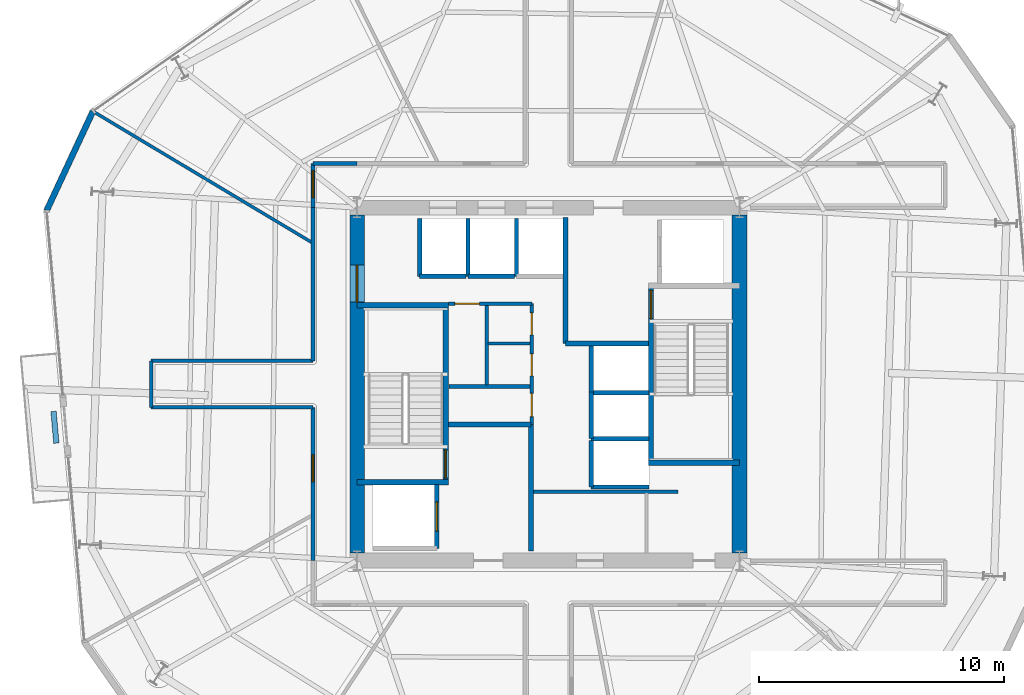
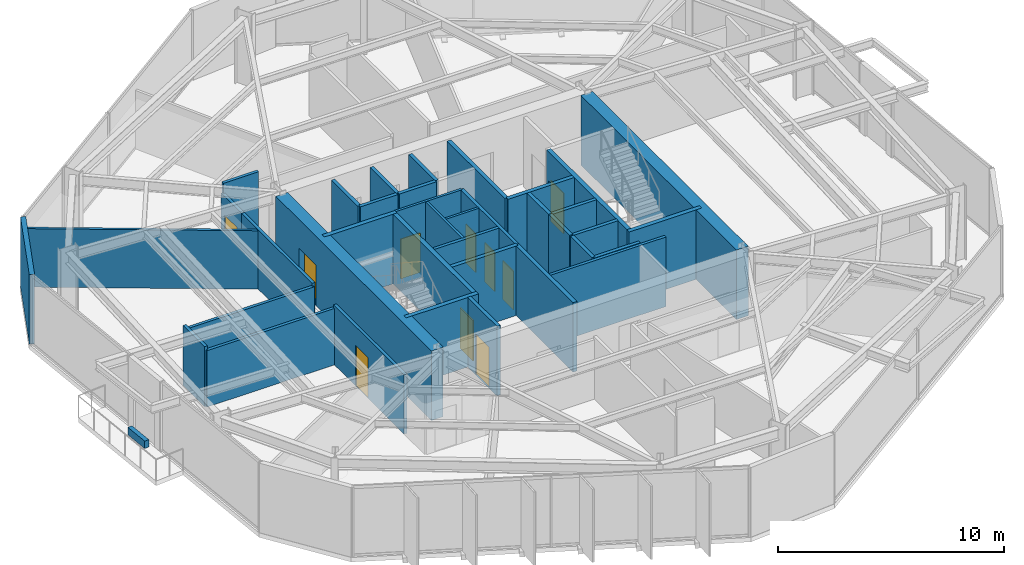
# One storey, part 7 of 13: 39 walls, 10 doors, 10 openings.
"""IFC4 building model written with IfcOpenShell, lengths in metres."""

from ifc_helpers import new_model, si_unit, direction, frame, frame_2d, origin, place, context, subcontext, project, spatial, rectangle, extrude, material, layer, layer_set, type_object, element, fill, save


model = new_model("IFC4")

# Units and contexts
model_context = context("Model", 3, precision=1e-05, world=origin(), true_north=direction((0.0, 1.0)))
body_context = subcontext(model_context, "Body", "Model", "MODEL_VIEW")
ifc_project = project(units=[si_unit("LENGTHUNIT", "METRE"), si_unit("AREAUNIT", "SQUARE_METRE"), si_unit("VOLUMEUNIT", "CUBIC_METRE"), si_unit("PLANEANGLEUNIT", "RADIAN"), si_unit("MASSUNIT", "GRAM", prefix="KILO")], contexts=[model_context])

# Site, building, storey
site_placement = place(None, origin())
site = spatial("IfcSite", under=ifc_project, at=site_placement, CompositionType="ELEMENT")
building_placement = place(site_placement, origin())
building = spatial("IfcBuilding", under=site, at=building_placement, Name="Kranzbogen Civic Tower", CompositionType="ELEMENT")
storey_placement = place(building_placement, frame((0.0, 0.0, 162.39990234375)))
storey = spatial("IfcBuildingStorey", under=building, at=storey_placement, Name="L39", CompositionType="ELEMENT", Elevation=162.39990234375)

# Wall
ifc_material_1 = material(Name="Double-Stud Acoustic Gypsum Partition")
ifc_layer_1 = layer(ifc_material_1, 0.14990234375, Name="Double-Stud Acoustic Gypsum Partition")
ifc_layer_set_1 = layer_set([ifc_layer_1], Name="Double-Stud Acoustic Gypsum Partition")
wall_type_1 = type_object("IfcWallType", Name="Acoustic Corridor and Clinical Partition 150 mm", PredefinedType="PARTITIONING", material=ifc_layer_set_1)
wall_1_placement = place(storey_placement, frame((24.39990234375, 20.610107421875, 0.0), z_axis=(0.0, 0.0, 1.0), x_axis=(1.0, 0.0, 0.0)))
element("IfcWall", 1, at=wall_1_placement, inside=storey, type_object=wall_type_1, Name="L39 records zone North wall", PredefinedType="PARTITIONING", context=body_context, shape_type="SweptSolid", body=[
    extrude(rectangle(XDim=5.900146484375, YDim=0.14990234375, at=frame_2d((2.9501953125, 0.0))), origin(), (0.0, 0.0, 1.0), 3.760009765625),
])

# Wall, opening, door
wall_2_placement = place(storey_placement, frame((15.39990234375, 17.800048828125, 0.0), z_axis=(0.0, 0.0, 1.0), x_axis=(0.0, 1.0, 0.0)))
wall_2 = element("IfcWall", 2, at=wall_2_placement, inside=storey, type_object=wall_type_1, Name="L39 corridor partition 03", PredefinedType="PARTITIONING", context=body_context, shape_type="SweptSolid", body=[
    extrude(rectangle(XDim=6.25, YDim=0.14990234375, at=frame_2d((3.125, 0.0))), origin(), (0.0, 0.0, 1.0), 3.210205078125),
])
opening_1_placement = place(wall_2_placement, frame((3.214111328125, 0.0, 0.0)))
opening_1 = element("IfcOpeningElement", 3, at=opening_1_placement, cuts=wall_2, Name="Opening D-COR60", PredefinedType="OPENING", context=body_context, shape_type="SweptSolid", body=[
    extrude(rectangle(XDim=1.10009765625, YDim=2.199951171875, at=frame_2d((0.550048828125, 1.10009765625))), frame((0.0, 0.0849609375, 0.0), z_axis=(0.0, -1.0, 0.0), x_axis=(1.0, 0.0, 0.0)), (0.0, 0.0, 1.0), 0.169921875),
])
ifc_material_2 = material(Name="Oak Timber and Fire Core", Category="wood")
door_type_1 = type_object("IfcDoorType", Name="Corridor Acoustic Fire Door 1100x2200", OperationType="NOTDEFINED", PredefinedType="DOOR", material=ifc_material_2)
door_1_placement = place(opening_1_placement, origin())
door_1 = element("IfcDoor", 4, at=door_1_placement, inside=storey, type_object=door_type_1, Name="L39 Delegates Sitting Lounge door", OperationType="SINGLE_SWING_LEFT", OverallHeight=2.199951171875, OverallWidth=1.10009765625, PredefinedType="DOOR", context=body_context, shape_type="SweptSolid", body=[
    extrude(rectangle(XDim=1.10009765625, YDim=2.199951171875, at=frame_2d((0.550048828125, 1.10009765625))), frame((0.0, 0.02490234375, 0.0), z_axis=(0.0, -1.0, 0.0), x_axis=(1.0, 0.0, 0.0)), (0.0, 0.0, 1.0), 0.050048828125),
])
fill(opening_1, door_1)

# Walls
wall_3_placement = place(storey_placement, frame((15.39990234375, 24.050048828125, 0.0), z_axis=(0.0, 0.0, 1.0), x_axis=(-1.0, 0.0, 0.0)))
element("IfcWall", 5, at=wall_3_placement, inside=storey, type_object=wall_type_1, Name="L39 corridor partition 04", PredefinedType="PARTITIONING", context=body_context, shape_type="SweptSolid", body=[
    extrude(rectangle(XDim=6.599853515625, YDim=0.14990234375, at=frame_2d((3.2998046875, 0.0))), origin(), (0.0, 0.0, 1.0), 3.050048828125),
])
wall_4_placement = place(storey_placement, frame((8.800048828125, 24.050048828125, 0.0), z_axis=(0.0, 0.0, 1.0), x_axis=(0.0, 1.0, 0.0)))
element("IfcWall", 6, at=wall_4_placement, inside=storey, type_object=wall_type_1, Name="L39 corridor partition 05", PredefinedType="PARTITIONING", context=body_context, shape_type="SweptSolid", body=[
    extrude(rectangle(XDim=1.89990234375, YDim=0.14990234375, at=frame_2d((0.949951171875, 0.0))), origin(), (0.0, 0.0, 1.0), 3.25),
])
wall_5_placement = place(storey_placement, frame((8.800048828125, 25.949951171875, 0.0), z_axis=(0.0, 0.0, 1.0), x_axis=(1.0, 0.0, 0.0)))
element("IfcWall", 7, at=wall_5_placement, inside=storey, type_object=wall_type_1, Name="L39 corridor partition 06", PredefinedType="PARTITIONING", context=body_context, shape_type="SweptSolid", body=[
    extrude(rectangle(XDim=6.599853515625, YDim=0.14990234375, at=frame_2d((3.2998046875, 0.0))), origin(), (0.0, 0.0, 1.0), 3.050048828125),
])
wall_6_placement = place(storey_placement, frame((15.39990234375, 25.949951171875, 0.0), z_axis=(0.0, 0.0, 1.0), x_axis=(0.0, 1.0, 0.0)))
element("IfcWall", 8, at=wall_6_placement, inside=storey, type_object=wall_type_1, Name="L39 corridor partition 07", PredefinedType="PARTITIONING", context=body_context, shape_type="SweptSolid", body=[
    extrude(rectangle(XDim=6.25, YDim=0.14990234375, at=frame_2d((3.125, 0.0))), origin(), (0.0, 0.0, 1.0), 3.210205078125),
])

# Wall, opening, door
wall_7_placement = place(storey_placement, frame((15.39990234375, 32.199951171875, 0.0), z_axis=(0.0, 0.0, 1.0), x_axis=(0.0, 1.0, 0.0)))
wall_7 = element("IfcWall", 9, at=wall_7_placement, inside=storey, type_object=wall_type_1, Name="L39 corridor partition 08", PredefinedType="PARTITIONING", context=body_context, shape_type="SweptSolid", body=[
    extrude(rectangle(XDim=1.800048828125, YDim=0.14990234375, at=frame_2d((0.89990234375, 0.0))), origin(), (0.0, 0.0, 1.0), 3.210205078125),
])
opening_2_placement = place(wall_7_placement, frame((0.4130859375, 0.0, 0.0)))
opening_2 = element("IfcOpeningElement", 10, at=opening_2_placement, cuts=wall_7, Name="Opening D-COR60", PredefinedType="OPENING", context=body_context, shape_type="SweptSolid", body=[
    extrude(rectangle(XDim=1.10009765625, YDim=2.199951171875, at=frame_2d((0.550048828125, 1.10009765625))), frame((0.0, 0.0849609375, 0.0), z_axis=(0.0, -1.0, 0.0), x_axis=(1.0, 0.0, 0.0)), (0.0, 0.0, 1.0), 0.169921875),
])
door_2_placement = place(opening_2_placement, origin())
door_2 = element("IfcDoor", 11, at=door_2_placement, inside=storey, type_object=door_type_1, Name="L39 Civic Reference Library door", OperationType="SINGLE_SWING_RIGHT", OverallHeight=2.199951171875, OverallWidth=1.10009765625, PredefinedType="DOOR", context=body_context, shape_type="SweptSolid", body=[
    extrude(rectangle(XDim=1.10009765625, YDim=2.199951171875, at=frame_2d((0.550048828125, 1.10009765625))), frame((0.0, 0.02490234375, 0.0), z_axis=(0.0, -1.0, 0.0), x_axis=(1.0, 0.0, 0.0)), (0.0, 0.0, 1.0), 0.050048828125),
])
fill(opening_2, door_2)

# Wall
wall_8_placement = place(storey_placement, frame((15.39990234375, 34.0, 0.0), z_axis=(0.0, 0.0, 1.0), x_axis=(1.0, 0.0, 0.0)))
element("IfcWall", 12, at=wall_8_placement, inside=storey, type_object=wall_type_1, Name="L39 corridor partition 09", PredefinedType="PARTITIONING", context=body_context, shape_type="SweptSolid", body=[
    extrude(rectangle(XDim=1.800048828125, YDim=0.14990234375, at=frame_2d((0.89990234375, 0.0))), origin(), (0.0, 0.0, 1.0), 3.760009765625),
])

# Wall, opening, door
ifc_material_3 = material(Name="Insulated Metal-Stud Gypsum Partition")
ifc_layer_2 = layer(ifc_material_3, 0.125, Name="Insulated Metal-Stud Gypsum Partition")
ifc_layer_set_2 = layer_set([ifc_layer_2], Name="Insulated Metal-Stud Gypsum Partition")
wall_type_2 = type_object("IfcWallType", Name="Acoustic Inter-Room Partition 125 mm", PredefinedType="PARTITIONING", material=ifc_layer_set_2)
wall_9_placement = place(storey_placement, frame((20.919921875, 28.280029296875, 0.0), z_axis=(0.0, 0.0, 1.0), x_axis=(1.0, 0.0, 0.0)))
wall_9 = element("IfcWall", 13, at=wall_9_placement, inside=storey, type_object=wall_type_2, Name="L39 core auxiliary North wall", PredefinedType="PARTITIONING", context=body_context, shape_type="SweptSolid", body=[
    extrude(rectangle(XDim=3.405029296875, YDim=0.125, at=frame_2d((1.70263671875, 0.0))), origin(), (0.0, 0.0, 1.0), 3.760009765625),
])
opening_3_placement = place(wall_9_placement, frame((0.27001953125, 0.0, 0.0)))
opening_3 = element("IfcOpeningElement", 14, at=opening_3_placement, cuts=wall_9, Name="Opening D-RSR10", PredefinedType="OPENING", context=body_context, shape_type="SweptSolid", body=[
    extrude(rectangle(XDim=1.0, YDim=2.14990234375, at=frame_2d((0.5, 1.074951171875))), frame((0.0, 0.072509765625, 0.0), z_axis=(0.0, -1.0, 0.0), x_axis=(1.0, 0.0, 0.0)), (0.0, 0.0, 1.0), 0.14501953125),
])
door_type_2 = type_object("IfcDoorType", Name="Core Archive and Riser Fire Door 1000x2150", OperationType="NOTDEFINED", PredefinedType="DOOR", material=ifc_material_2)
door_3_placement = place(opening_3_placement, origin())
door_3 = element("IfcDoor", 15, at=door_3_placement, inside=storey, type_object=door_type_2, Name="L39 Floor Supply Store door", OperationType="SINGLE_SWING_LEFT", OverallHeight=2.14990234375, OverallWidth=1.0, PredefinedType="DOOR", context=body_context, shape_type="SweptSolid", body=[
    extrude(rectangle(XDim=1.0, YDim=2.14990234375, at=frame_2d((0.5, 1.074951171875))), frame((0.0, 0.02490234375, 0.0), z_axis=(0.0, -1.0, 0.0), x_axis=(1.0, 0.0, 0.0)), (0.0, 0.0, 1.0), 0.050048828125),
])
fill(opening_3, door_3)

# Walls
wall_10_placement = place(storey_placement, frame((22.489990234375, 24.969970703125, 0.0), z_axis=(0.0, 0.0, 1.0), x_axis=(0.0, 1.0, 0.0)))
element("IfcWall", 16, at=wall_10_placement, inside=storey, type_object=wall_type_2, Name="L39 core auxiliary partition 3", PredefinedType="PARTITIONING", context=body_context, shape_type="SweptSolid", body=[
    extrude(rectangle(XDim=3.22998046875, YDim=0.125, at=frame_2d((1.614990234375, 0.0))), origin(), (0.0, 0.0, 1.0), 3.760009765625),
])
wall_11_placement = place(storey_placement, frame((22.550048828125, 26.659912109375, 0.0), z_axis=(0.0, 0.0, 1.0), x_axis=(1.0, 0.0, 0.0)))
element("IfcWall", 17, at=wall_11_placement, inside=storey, type_object=wall_type_2, Name="L39 core auxiliary partition 4", PredefinedType="PARTITIONING", context=body_context, shape_type="SweptSolid", body=[
    extrude(rectangle(XDim=1.699951171875, YDim=0.125, at=frame_2d((0.85009765625, 0.0))), origin(), (0.0, 0.0, 1.0), 3.760009765625),
])
wall_12_placement = place(storey_placement, frame((15.39990234375, 30.7509765625, 0.0), z_axis=(0.0, 0.0, 1.0), x_axis=(-0.857857730588, 0.513887258131, 0.0)))
element("IfcWall", 18, at=wall_12_placement, inside=storey, type_object=wall_type_2, Name="L39 radial room partition 04", PredefinedType="PARTITIONING", context=body_context, shape_type="SweptSolid", body=[
    extrude(rectangle(XDim=10.44580078125, YDim=0.125, at=frame_2d((5.222900390625, 0.0))), origin(), (0.0, 0.0, 1.0), 3.16015625),
])
ifc_material_4 = material(Name="Architectural Precast Terracotta Concrete C40/50", Category="masonry")
ifc_layer_3 = layer(ifc_material_4, 0.219970703125, Name="Architectural Precast Terracotta Concrete C40/50")
ifc_layer_set_3 = layer_set([ifc_layer_3], Name="Architectural Precast Terracotta Concrete C40/50")
wall_type_3 = type_object("IfcWallType", Name="Architectural Tree Planter Kerb Wall 220 mm", PredefinedType="USERDEFINED", material=ifc_layer_set_3)
wall_13_placement = place(storey_placement, frame((4.81494140625, 23.886962890625, 0.0), z_axis=(0.0, 0.0, 1.0), x_axis=(0.087641862602, -0.996152048595, 0.0)))
element("IfcWall", 19, at=wall_13_placement, inside=storey, type_object=wall_type_3, Name="L39 landscaped tree balcony planter L39-TB2", ObjectType="PLANTER_WALL", PredefinedType="USERDEFINED", context=body_context, shape_type="SweptSolid", body=[
    extrude(rectangle(XDim=1.301025390625, YDim=0.219970703125, at=frame_2d((0.650390625, 0.0))), origin(), (0.0, 0.0, 1.0), 0.400146484375),
])

# Wall, opening, door
ifc_material_5 = material(Name="Concrete C55/67", Category="concrete")
ifc_layer_4 = layer(ifc_material_5, 0.60009765625, Name="Concrete C55/67")
ifc_layer_set_4 = layer_set([ifc_layer_4], Name="Concrete C55/67")
wall_type_4 = type_object("IfcWallType", Name="Central Core Shear Wall 600 mm", PredefinedType="SHEAR", material=ifc_layer_set_4)
wall_14_placement = place(storey_placement, frame((17.199951171875, 31.89990234375, 0.0), z_axis=(0.0, 0.0, 1.0), x_axis=(0.0, -1.0, 0.0)))
wall_14 = element("IfcWall", 20, at=wall_14_placement, inside=storey, type_object=wall_type_4, Name="L39 central core West shear wall", PredefinedType="SHEAR", context=body_context, shape_type="SweptSolid", body=[
    extrude(rectangle(XDim=13.7998046875, YDim=0.60009765625, at=frame_2d((6.89990234375, 0.0))), origin(), (0.0, 0.0, 1.0), 3.760009765625),
])
opening_4_placement = place(wall_14_placement, frame((2.050048828125, 0.0, 0.0)))
opening_4 = element("IfcOpeningElement", 21, at=opening_4_placement, cuts=wall_14, Name="Opening D-DBL15", PredefinedType="OPENING", context=body_context, shape_type="SweptSolid", body=[
    extrude(rectangle(XDim=1.5, YDim=2.199951171875, at=frame_2d((0.75, 1.10009765625))), frame((0.0, 0.31005859375, 0.0), z_axis=(0.0, -1.0, 0.0), x_axis=(1.0, 0.0, 0.0)), (0.0, 0.0, 1.0), 0.6201171875),
])
ifc_material_6 = material(Name="Anodised Bronze and Glass", Category="glass")
door_type_3 = type_object("IfcDoorType", Name="Civic Lobby Double Door 1500x2200", OperationType="DOUBLE_DOOR_SINGLE_SWING", PredefinedType="DOOR", material=ifc_material_6)
door_4_placement = place(opening_4_placement, origin())
door_4 = element("IfcDoor", 22, at=door_4_placement, inside=storey, type_object=door_type_3, Name="L39 Central Lift Lobby West concourse door", OperationType="DOUBLE_DOOR_SINGLE_SWING", OverallHeight=2.199951171875, OverallWidth=1.5, PredefinedType="DOOR", context=body_context, shape_type="SweptSolid", body=[
    extrude(rectangle(XDim=1.5, YDim=2.199951171875, at=frame_2d((0.75, 1.10009765625))), frame((0.0, 0.02490234375, 0.0), z_axis=(0.0, -1.0, 0.0), x_axis=(1.0, 0.0, 0.0)), (0.0, 0.0, 1.0), 0.050048828125),
])
fill(opening_4, door_4)

# Wall
wall_15_placement = place(storey_placement, frame((32.800048828125, 18.10009765625, 0.0), z_axis=(0.0, 0.0, 1.0), x_axis=(0.0, 1.0, 0.0)))
element("IfcWall", 23, at=wall_15_placement, inside=storey, type_object=wall_type_4, Name="L39 central core East shear wall", PredefinedType="SHEAR", context=body_context, shape_type="SweptSolid", body=[
    extrude(rectangle(XDim=13.7998046875, YDim=0.60009765625, at=frame_2d((6.89990234375, 0.0))), origin(), (0.0, 0.0, 1.0), 3.760009765625),
])

# Wall, opening, door
ifc_material_7 = material(Name="Concrete C45/55", Category="concrete")
ifc_layer_5 = layer(ifc_material_7, 0.219970703125, Name="Concrete C45/55")
ifc_layer_set_5 = layer_set([ifc_layer_5], Name="Concrete C45/55")
wall_type_5 = type_object("IfcWallType", Name="Core Internal Stair Structural Wall 220 mm", PredefinedType="SOLIDWALL", material=ifc_layer_set_5)
wall_16_placement = place(storey_placement, frame((20.81005859375, 20.989990234375, 0.0), z_axis=(0.0, 0.0, 1.0), x_axis=(0.0, 1.0, 0.0)))
wall_16 = element("IfcWall", 24, at=wall_16_placement, inside=storey, type_object=wall_type_5, Name="L39 ST-T1 East structural stair wall", PredefinedType="SOLIDWALL", context=body_context, shape_type="SweptSolid", body=[
    extrude(rectangle(XDim=7.219970703125, YDim=0.219970703125, at=frame_2d((3.60986328125, 0.0))), origin(), (0.0, 0.0, 1.0), 3.760009765625),
])
opening_5_placement = place(wall_16_placement, frame((0.179931640625, 0.0, 0.0)))
opening_5 = element("IfcOpeningElement", 25, at=opening_5_placement, cuts=wall_16, Name="Opening D-ST90", PredefinedType="OPENING", context=body_context, shape_type="SweptSolid", body=[
    extrude(rectangle(XDim=1.14990234375, YDim=2.199951171875, at=frame_2d((0.574951171875, 1.10009765625))), frame((0.0, 0.1201171875, 0.0), z_axis=(0.0, -1.0, 0.0), x_axis=(1.0, 0.0, 0.0)), (0.0, 0.0, 1.0), 0.239990234375),
])
ifc_material_8 = material(Name="Steel S355", Category="steel")
door_type_4 = type_object("IfcDoorType", Name="Pressurized Stair and Lobby Fire Door 1150x2200", OperationType="NOTDEFINED", PredefinedType="DOOR", material=ifc_material_8)
door_5_placement = place(opening_5_placement, origin())
door_5 = element("IfcDoor", 26, at=door_5_placement, inside=storey, type_object=door_type_4, Name="L39 Stair ST-T1 fire door", OperationType="SINGLE_SWING_RIGHT", OverallHeight=2.199951171875, OverallWidth=1.14990234375, PredefinedType="DOOR", context=body_context, shape_type="SweptSolid", body=[
    extrude(rectangle(XDim=1.14990234375, YDim=2.199951171875, at=frame_2d((0.574951171875, 1.10009765625))), frame((0.0, 0.02490234375, 0.0), z_axis=(0.0, -1.0, 0.0), x_axis=(1.0, 0.0, 0.0)), (0.0, 0.0, 1.0), 0.050048828125),
])
fill(opening_5, door_5)

# Walls
for number, where, z_axis, x_axis, name in (
    (27, (17.199951171875, 20.989990234375, 0.0), (0.0, 0.0, 1.0), (1.0, 0.0, 0.0), "L39 ST-T1 South structural stair wall"),
    (28, (17.199951171875, 28.2099609375, 0.0), (0.0, 0.0, 1.0), (1.0, 0.0, 0.0), "L39 ST-T1 North structural stair wall"),
):
    element("IfcWall", number, at=place(storey_placement, frame(where, z_axis=z_axis, x_axis=x_axis)), inside=storey, type_object=wall_type_5, Name=name, PredefinedType="SOLIDWALL", context=body_context, shape_type="SweptSolid", body=[
        extrude(rectangle(XDim=3.719970703125, YDim=0.219970703125, at=frame_2d((1.85986328125, 0.0))), origin(), (0.0, 0.0, 1.0), 3.760009765625),
    ])

# Wall, opening, door
wall_17_placement = place(storey_placement, frame((29.18994140625, 21.7900390625, 0.0), z_axis=(0.0, 0.0, 1.0), x_axis=(0.0, 1.0, 0.0)))
wall_17 = element("IfcWall", 29, at=wall_17_placement, inside=storey, type_object=wall_type_5, Name="L39 ST-T2 West structural stair wall", PredefinedType="SOLIDWALL", context=body_context, shape_type="SweptSolid", body=[
    extrude(rectangle(XDim=7.219970703125, YDim=0.219970703125, at=frame_2d((3.60986328125, 0.0))), origin(), (0.0, 0.0, 1.0), 3.760009765625),
])
opening_6_placement = place(wall_17_placement, frame((5.8798828125, 0.0, 0.0)))
opening_6 = element("IfcOpeningElement", 30, at=opening_6_placement, cuts=wall_17, Name="Opening D-ST90", PredefinedType="OPENING", context=body_context, shape_type="SweptSolid", body=[
    extrude(rectangle(XDim=1.14990234375, YDim=2.199951171875, at=frame_2d((0.574951171875, 1.10009765625))), frame((0.0, 0.1201171875, 0.0), z_axis=(0.0, -1.0, 0.0), x_axis=(1.0, 0.0, 0.0)), (0.0, 0.0, 1.0), 0.239990234375),
])
door_6_placement = place(opening_6_placement, origin())
door_6 = element("IfcDoor", 31, at=door_6_placement, inside=storey, type_object=door_type_4, Name="L39 Stair ST-T2 fire door", OperationType="SINGLE_SWING_LEFT", OverallHeight=2.199951171875, OverallWidth=1.14990234375, PredefinedType="DOOR", context=body_context, shape_type="SweptSolid", body=[
    extrude(rectangle(XDim=1.14990234375, YDim=2.199951171875, at=frame_2d((0.574951171875, 1.10009765625))), frame((0.0, 0.02490234375, 0.0), z_axis=(0.0, -1.0, 0.0), x_axis=(1.0, 0.0, 0.0)), (0.0, 0.0, 1.0), 0.050048828125),
])
fill(opening_6, door_6)

# Walls
wall_18_placement = place(storey_placement, frame((29.080078125, 21.7900390625, 0.0), z_axis=(0.0, 0.0, 1.0), x_axis=(1.0, 0.0, 0.0)))
element("IfcWall", 32, at=wall_18_placement, inside=storey, type_object=wall_type_5, Name="L39 ST-T2 South structural stair wall", PredefinedType="SOLIDWALL", context=body_context, shape_type="SweptSolid", body=[
    extrude(rectangle(XDim=3.719970703125, YDim=0.219970703125, at=frame_2d((1.85986328125, 0.0))), origin(), (0.0, 0.0, 1.0), 3.760009765625),
])
ifc_material_9 = material(Name="Gypsum Fireboard and Concrete Block", Category="concrete")
ifc_layer_6 = layer(ifc_material_9, 0.199951171875, Name="Gypsum Fireboard and Concrete Block")
ifc_layer_set_6 = layer_set([ifc_layer_6], Name="Gypsum Fireboard and Concrete Block")
wall_type_6 = type_object("IfcWallType", Name="Fire-Rated Exit Passageway and Stair Wall 200 mm", PredefinedType="PARTITIONING", material=ifc_layer_set_6)
wall_19_placement = place(storey_placement, frame((24.300048828125, 18.199951171875, 0.0), z_axis=(0.0, 0.0, 1.0), x_axis=(0.0, 1.0, 0.0)))
element("IfcWall", 33, at=wall_19_placement, inside=storey, type_object=wall_type_6, Name="L39 West firefighting lobby East wall", PredefinedType="PARTITIONING", context=body_context, shape_type="SweptSolid", body=[
    extrude(rectangle(XDim=5.150146484375, YDim=0.199951171875, at=frame_2d((2.5751953125, 0.0))), origin(), (0.0, 0.0, 1.0), 3.760009765625),
])
wall_20_placement = place(storey_placement, frame((20.919921875, 23.35009765625, 0.0), z_axis=(0.0, 0.0, 1.0), x_axis=(1.0, 0.0, 0.0)))
element("IfcWall", 34, at=wall_20_placement, inside=storey, type_object=wall_type_6, Name="L39 West firefighting lobby North wall", PredefinedType="PARTITIONING", context=body_context, shape_type="SweptSolid", body=[
    extrude(rectangle(XDim=3.380126953125, YDim=0.199951171875, at=frame_2d((1.68994140625, 0.0))), origin(), (0.0, 0.0, 1.0), 3.760009765625),
])
wall_21_placement = place(storey_placement, frame((25.699951171875, 26.64990234375, 0.0), z_axis=(0.0, 0.0, 1.0), x_axis=(0.0, 1.0, 0.0)))
element("IfcWall", 35, at=wall_21_placement, inside=storey, type_object=wall_type_6, Name="L39 East firefighting lobby West wall", PredefinedType="PARTITIONING", context=body_context, shape_type="SweptSolid", body=[
    extrude(rectangle(XDim=5.150146484375, YDim=0.199951171875, at=frame_2d((2.5751953125, 0.0))), origin(), (0.0, 0.0, 1.0), 3.760009765625),
])
wall_22_placement = place(storey_placement, frame((25.699951171875, 26.64990234375, 0.0), z_axis=(0.0, 0.0, 1.0), x_axis=(1.0, 0.0, 0.0)))
element("IfcWall", 36, at=wall_22_placement, inside=storey, type_object=wall_type_6, Name="L39 East firefighting lobby South wall", PredefinedType="PARTITIONING", context=body_context, shape_type="SweptSolid", body=[
    extrude(rectangle(XDim=3.380126953125, YDim=0.199951171875, at=frame_2d((1.68994140625, 0.0))), origin(), (0.0, 0.0, 1.0), 3.760009765625),
])
ifc_material_10 = material(Name="Gypsum Fireboard Shaftliner")
ifc_layer_7 = layer(ifc_material_10, 0.175048828125, Name="Gypsum Fireboard Shaftliner")
ifc_layer_set_7 = layer_set([ifc_layer_7], Name="Gypsum Fireboard Shaftliner")
wall_type_7 = type_object("IfcWallType", Name="Fire-Rated Lift and Service Shaft Wall 175 mm", PredefinedType="PARTITIONING", material=ifc_layer_set_7)
wall_23_placement = place(storey_placement, frame((19.75, 29.39990234375, 0.0), z_axis=(0.0, 0.0, 1.0), x_axis=(1.0, 0.0, 0.0)))
element("IfcWall", 37, at=wall_23_placement, inside=storey, type_object=wall_type_7, Name="L39 lift MP-01 rear wall", PredefinedType="PARTITIONING", context=body_context, shape_type="SweptSolid", body=[
    extrude(rectangle(XDim=1.89990234375, YDim=0.175048828125, at=frame_2d((0.949951171875, 0.0))), origin(), (0.0, 0.0, 1.0), 3.760009765625),
])
wall_24_placement = place(storey_placement, frame((19.75, 29.39990234375, 0.0), z_axis=(0.0, 0.0, 1.0), x_axis=(0.0, 1.0, 0.0)))
element("IfcWall", 38, at=wall_24_placement, inside=storey, type_object=wall_type_7, Name="L39 lift MP-01 side wall", PredefinedType="PARTITIONING", context=body_context, shape_type="SweptSolid", body=[
    extrude(rectangle(XDim=2.35009765625, YDim=0.175048828125, at=frame_2d((1.175048828125, 0.0))), origin(), (0.0, 0.0, 1.0), 3.760009765625),
])
wall_25_placement = place(storey_placement, frame((21.72509765625, 29.39990234375, 0.0), z_axis=(0.0, 0.0, 1.0), x_axis=(1.0, 0.0, 0.0)))
element("IfcWall", 39, at=wall_25_placement, inside=storey, type_object=wall_type_7, Name="L39 lift MP-02 rear wall", PredefinedType="PARTITIONING", context=body_context, shape_type="SweptSolid", body=[
    extrude(rectangle(XDim=1.89990234375, YDim=0.175048828125, at=frame_2d((0.949951171875, 0.0))), origin(), (0.0, 0.0, 1.0), 3.760009765625),
])
for number, where, z_axis, x_axis, name in (
    (40, (21.72509765625, 29.39990234375, 0.0), (0.0, 0.0, 1.0), (0.0, 1.0, 0.0), "L39 lift MP-02 side wall"),
    (41, (23.699951171875, 29.39990234375, 0.0), (0.0, 0.0, 1.0), (0.0, 1.0, 0.0), "L39 lift MP-03 side wall"),
):
    element("IfcWall", number, at=place(storey_placement, frame(where, z_axis=z_axis, x_axis=x_axis)), inside=storey, type_object=wall_type_7, Name=name, PredefinedType="PARTITIONING", context=body_context, shape_type="SweptSolid", body=[
        extrude(rectangle(XDim=2.35009765625, YDim=0.175048828125, at=frame_2d((1.175048828125, 0.0))), origin(), (0.0, 0.0, 1.0), 3.760009765625),
    ])
wall_26_placement = place(storey_placement, frame((26.75, 20.800048828125, 0.0), z_axis=(0.0, 0.0, 1.0), x_axis=(0.0, 1.0, 0.0)))
element("IfcWall", 42, at=wall_26_placement, inside=storey, type_object=wall_type_7, Name="L39 lift HP-01 landing wall", PredefinedType="PARTITIONING", context=body_context, shape_type="SweptSolid", body=[
    extrude(rectangle(XDim=1.89990234375, YDim=0.175048828125, at=frame_2d((0.949951171875, 0.0))), origin(), (0.0, 0.0, 1.0), 3.760009765625),
])
wall_27_placement = place(storey_placement, frame((26.75, 20.800048828125, 0.0), z_axis=(0.0, 0.0, 1.0), x_axis=(1.0, 0.0, 0.0)))
element("IfcWall", 43, at=wall_27_placement, inside=storey, type_object=wall_type_7, Name="L39 lift HP-01 side wall", PredefinedType="PARTITIONING", context=body_context, shape_type="SweptSolid", body=[
    extrude(rectangle(XDim=2.35009765625, YDim=0.175048828125, at=frame_2d((1.175048828125, 0.0))), origin(), (0.0, 0.0, 1.0), 3.760009765625),
])
wall_28_placement = place(storey_placement, frame((26.75, 22.77490234375, 0.0), z_axis=(0.0, 0.0, 1.0), x_axis=(0.0, 1.0, 0.0)))
element("IfcWall", 44, at=wall_28_placement, inside=storey, type_object=wall_type_7, Name="L39 lift HP-02 landing wall", PredefinedType="PARTITIONING", context=body_context, shape_type="SweptSolid", body=[
    extrude(rectangle(XDim=1.900146484375, YDim=0.175048828125, at=frame_2d((0.9501953125, 0.0))), origin(), (0.0, 0.0, 1.0), 3.760009765625),
])
wall_29_placement = place(storey_placement, frame((26.75, 22.77490234375, 0.0), z_axis=(0.0, 0.0, 1.0), x_axis=(1.0, 0.0, 0.0)))
element("IfcWall", 45, at=wall_29_placement, inside=storey, type_object=wall_type_7, Name="L39 lift HP-02 side wall", PredefinedType="PARTITIONING", context=body_context, shape_type="SweptSolid", body=[
    extrude(rectangle(XDim=2.35009765625, YDim=0.175048828125, at=frame_2d((1.175048828125, 0.0))), origin(), (0.0, 0.0, 1.0), 3.760009765625),
])
wall_30_placement = place(storey_placement, frame((26.75, 24.64990234375, 0.0), z_axis=(0.0, 0.0, 1.0), x_axis=(0.0, 1.0, 0.0)))
element("IfcWall", 46, at=wall_30_placement, inside=storey, type_object=wall_type_7, Name="L39 lift HP-03 landing wall", PredefinedType="PARTITIONING", context=body_context, shape_type="SweptSolid", body=[
    extrude(rectangle(XDim=1.900146484375, YDim=0.175048828125, at=frame_2d((0.9501953125, 0.0))), origin(), (0.0, 0.0, 1.0), 3.760009765625),
])
wall_31_placement = place(storey_placement, frame((26.75, 24.64990234375, 0.0), z_axis=(0.0, 0.0, 1.0), x_axis=(1.0, 0.0, 0.0)))
element("IfcWall", 47, at=wall_31_placement, inside=storey, type_object=wall_type_7, Name="L39 lift HP-03 side wall", PredefinedType="PARTITIONING", context=body_context, shape_type="SweptSolid", body=[
    extrude(rectangle(XDim=2.35009765625, YDim=0.175048828125, at=frame_2d((1.175048828125, 0.0))), origin(), (0.0, 0.0, 1.0), 3.760009765625),
])

# Wall, opening, door
wall_32_placement = place(storey_placement, frame((20.449951171875, 18.300048828125, 0.0), z_axis=(0.0, 0.0, 1.0), x_axis=(0.0, 1.0, 0.0)))
wall_32 = element("IfcWall", 48, at=wall_32_placement, inside=storey, type_object=wall_type_7, Name="L39 lift FF-01 landing wall", PredefinedType="PARTITIONING", context=body_context, shape_type="SweptSolid", body=[
    extrude(rectangle(XDim=2.599853515625, YDim=0.175048828125, at=frame_2d((1.2998046875, 0.0))), origin(), (0.0, 0.0, 1.0), 3.760009765625),
])
opening_7_placement = place(wall_32_placement, frame((0.699951171875, 0.0, 0.0)))
opening_7 = element("IfcOpeningElement", 49, at=opening_7_placement, cuts=wall_32, Name="Opening LD-FF-01", PredefinedType="OPENING", context=body_context, shape_type="SweptSolid", body=[
    extrude(rectangle(XDim=1.199951171875, YDim=2.199951171875, at=frame_2d((0.60009765625, 1.10009765625))), frame((0.0, 0.09765625, 0.0), z_axis=(0.0, -1.0, 0.0), x_axis=(1.0, 0.0, 0.0)), (0.0, 0.0, 1.0), 0.195068359375),
])
ifc_material_11 = material(Name="Pale Anodised Aluminium", Category="aluminium")
door_type_5 = type_object("IfcDoorType", Name="Firefighting and Stretcher Lift Sliding Landing Door 1200x2200", OperationType="DOUBLE_DOOR_SLIDING", PredefinedType="DOOR", material=ifc_material_11)
door_7_placement = place(opening_7_placement, origin())
door_7 = element("IfcDoor", 50, at=door_7_placement, inside=storey, type_object=door_type_5, Name="L39 lift FF-01 sliding landing door", OperationType="DOUBLE_DOOR_SLIDING", OverallHeight=2.199951171875, OverallWidth=1.199951171875, PredefinedType="DOOR", context=body_context, shape_type="SweptSolid", body=[
    extrude(rectangle(XDim=1.199951171875, YDim=2.199951171875, at=frame_2d((0.60009765625, 1.10009765625))), frame((0.0, 0.02490234375, 0.0), z_axis=(0.0, -1.0, 0.0), x_axis=(1.0, 0.0, 0.0)), (0.0, 0.0, 1.0), 0.050048828125),
])
fill(opening_7, door_7)

# Wall
ifc_layer_8 = layer(ifc_material_11, 0.239990234375, Name="Pale Anodised Aluminium")
ifc_layer_set_8 = layer_set([ifc_layer_8], Name="Pale Anodised Aluminium")
wall_type_8 = type_object("IfcWallType", Name="Insulated Aluminium Facade Portal Wall 240 mm", PredefinedType="STANDARD", material=ifc_layer_set_8)
wall_33_placement = place(storey_placement, frame((6.423095703125, 36.12890625, 0.0), z_axis=(0.0, 0.0, 1.0), x_axis=(-0.422738987368, -0.906251481962, 0.0)))
element("IfcWall", 51, at=wall_33_placement, inside=storey, type_object=wall_type_8, Name="L39 chamfered corner facade spandrel 2", PredefinedType="STANDARD", context=body_context, shape_type="SweptSolid", body=[
    extrude(rectangle(XDim=4.47119140625, YDim=0.239990234375, at=frame_2d((2.235595703125, 0.0))), origin(), (0.0, 0.0, 1.0), 3.760009765625),
])

# Wall, openings, doors
ifc_material_12 = material(Name="Moisture-Resistant Gypsum Assembly")
ifc_layer_9 = layer(ifc_material_12, 0.159912109375, Name="Moisture-Resistant Gypsum Assembly")
ifc_layer_set_9 = layer_set([ifc_layer_9], Name="Moisture-Resistant Gypsum Assembly")
wall_type_9 = type_object("IfcWallType", Name="Sanitary and Plumbing Wet Wall 160 mm", PredefinedType="PLUMBINGWALL", material=ifc_layer_set_9)
wall_34_placement = place(storey_placement, frame((24.324951171875, 23.35009765625, 0.0), z_axis=(0.0, 0.0, 1.0), x_axis=(0.0, 1.0, 0.0)))
wall_34 = element("IfcWall", 52, at=wall_34_placement, inside=storey, type_object=wall_type_9, Name="L39 core auxiliary East wall", PredefinedType="PLUMBINGWALL", context=body_context, shape_type="SweptSolid", body=[
    extrude(rectangle(XDim=4.929931640625, YDim=0.159912109375, at=frame_2d((2.46484375, 0.0))), origin(), (0.0, 0.0, 1.0), 3.760009765625),
])
opening_8_placement = place(wall_34_placement, frame((0.324951171875, 0.0, 0.0)))
opening_8 = element("IfcOpeningElement", 53, at=opening_8_placement, cuts=wall_34, Name="Opening D-AWC95", PredefinedType="OPENING", context=body_context, shape_type="SweptSolid", body=[
    extrude(rectangle(XDim=0.949951171875, YDim=2.10009765625, at=frame_2d((0.47509765625, 1.050048828125))), frame((0.0, 0.08984375, 0.0), z_axis=(0.0, -1.0, 0.0), x_axis=(1.0, 0.0, 0.0)), (0.0, 0.0, 1.0), 0.179931640625),
])
opening_9_placement = place(wall_34_placement, frame((1.985107421875, 0.0, 0.0)))
opening_9 = element("IfcOpeningElement", 54, at=opening_9_placement, cuts=wall_34, Name="Opening D-WC90", PredefinedType="OPENING", context=body_context, shape_type="SweptSolid", body=[
    extrude(rectangle(XDim=0.89990234375, YDim=2.10009765625, at=frame_2d((0.449951171875, 1.050048828125))), frame((0.0, 0.08984375, 0.0), z_axis=(0.0, -1.0, 0.0), x_axis=(1.0, 0.0, 0.0)), (0.0, 0.0, 1.0), 0.179931640625),
])
opening_10_placement = place(wall_34_placement, frame((3.659912109375, 0.0, 0.0)))
opening_10 = element("IfcOpeningElement", 55, at=opening_10_placement, cuts=wall_34, Name="Opening D-WC90", PredefinedType="OPENING", context=body_context, shape_type="SweptSolid", body=[
    extrude(rectangle(XDim=0.89990234375, YDim=2.10009765625, at=frame_2d((0.449951171875, 1.050048828125))), frame((0.0, 0.08984375, 0.0), z_axis=(0.0, -1.0, 0.0), x_axis=(1.0, 0.0, 0.0)), (0.0, 0.0, 1.0), 0.179931640625),
])
ifc_material_13 = material(Name="Moisture-Resistant Laminate")
door_type_6 = type_object("IfcDoorType", Name="Accessible Restroom Door 950x2100", OperationType="NOTDEFINED", PredefinedType="DOOR", material=ifc_material_13)
door_8_placement = place(opening_8_placement, origin())
door_8 = element("IfcDoor", 56, at=door_8_placement, inside=storey, type_object=door_type_6, Name="L39 Accessible Restroom door", OperationType="SINGLE_SWING_RIGHT", OverallHeight=2.10009765625, OverallWidth=0.949951171875, PredefinedType="DOOR", context=body_context, shape_type="SweptSolid", body=[
    extrude(rectangle(XDim=0.949951171875, YDim=2.10009765625, at=frame_2d((0.47509765625, 1.050048828125))), frame((0.0, 0.02490234375, 0.0), z_axis=(0.0, -1.0, 0.0), x_axis=(1.0, 0.0, 0.0)), (0.0, 0.0, 1.0), 0.050048828125),
])
fill(opening_8, door_8)
door_type_7 = type_object("IfcDoorType", Name="Standard Restroom and Store Door 900x2100", OperationType="NOTDEFINED", PredefinedType="DOOR", material=ifc_material_13)
door_9_placement = place(opening_9_placement, origin())
door_9 = element("IfcDoor", 57, at=door_9_placement, inside=storey, type_object=door_type_7, Name="L39 Gender-Neutral Restroom door", OperationType="SINGLE_SWING_LEFT", OverallHeight=2.10009765625, OverallWidth=0.89990234375, PredefinedType="DOOR", context=body_context, shape_type="SweptSolid", body=[
    extrude(rectangle(XDim=0.89990234375, YDim=2.10009765625, at=frame_2d((0.449951171875, 1.050048828125))), frame((0.0, 0.02490234375, 0.0), z_axis=(0.0, -1.0, 0.0), x_axis=(1.0, 0.0, 0.0)), (0.0, 0.0, 1.0), 0.050048828125),
])
fill(opening_9, door_9)
door_10_placement = place(opening_10_placement, origin())
door_10 = element("IfcDoor", 58, at=door_10_placement, inside=storey, type_object=door_type_7, Name="L39 Floor IT Patch Closet door", OperationType="SINGLE_SWING_RIGHT", OverallHeight=2.10009765625, OverallWidth=0.89990234375, PredefinedType="DOOR", context=body_context, shape_type="SweptSolid", body=[
    extrude(rectangle(XDim=0.89990234375, YDim=2.10009765625, at=frame_2d((0.449951171875, 1.050048828125))), frame((0.0, 0.02490234375, 0.0), z_axis=(0.0, -1.0, 0.0), x_axis=(1.0, 0.0, 0.0)), (0.0, 0.0, 1.0), 0.050048828125),
])
fill(opening_10, door_10)

# Wall
wall_35_placement = place(storey_placement, frame((20.949951171875, 24.909912109375, 0.0), z_axis=(0.0, 0.0, 1.0), x_axis=(1.0, 0.0, 0.0)))
element("IfcWall", 59, at=wall_35_placement, inside=storey, type_object=wall_type_9, Name="L39 core auxiliary partition 2", PredefinedType="PLUMBINGWALL", context=body_context, shape_type="SweptSolid", body=[
    extrude(rectangle(XDim=3.300048828125, YDim=0.159912109375, at=frame_2d((1.64990234375, 0.0))), origin(), (0.0, 0.0, 1.0), 3.760009765625),
])

save(model, "model.ifc")
